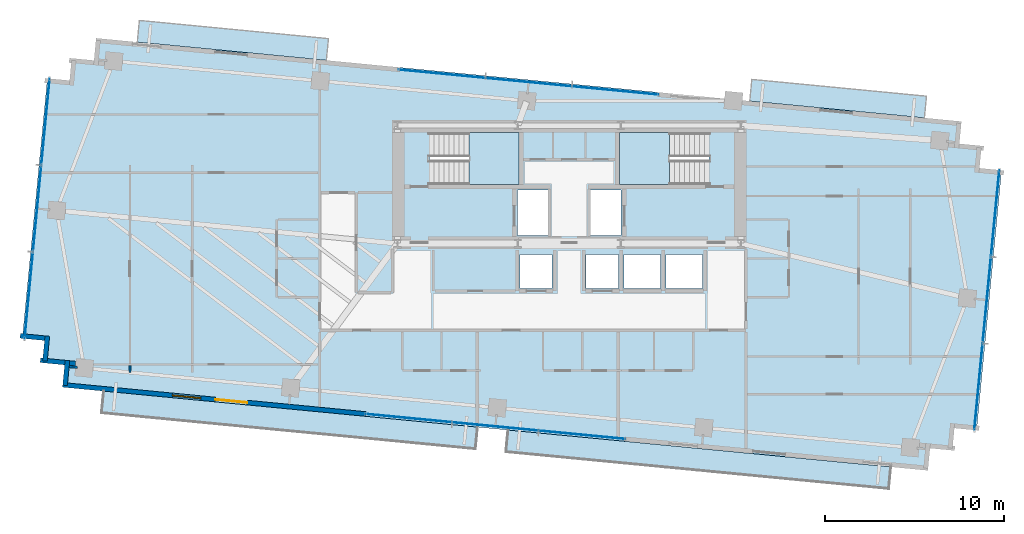
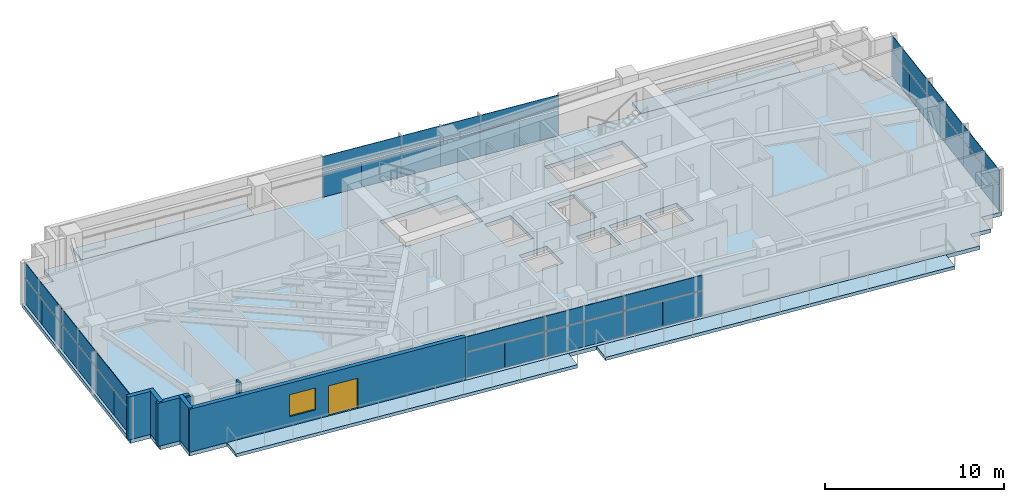
# One storey, part 13 of 19: 36 plates, 7 slabs, 7 walls, 1 door, 1 window, 2 openings, 6 elements without a shape of their own.
"""IFC4 building model written with IfcOpenShell, lengths in metres."""

from ifc_helpers import new_model, si_unit, direction, frame, frame_2d, origin, origin_2d, place, context, subcontext, project, spatial, polyline, rectangle, outline, extrude, source, transform, mapped, material, layer, layer_set, type_object, type_shapes, element, fill, aggregate, save


model = new_model("IFC4")

# Units and contexts
model_context = context("Model", 3, precision=1e-05, world=origin(), true_north=direction((0.0, 1.0)))
body_context = subcontext(model_context, "Body", "Model", "MODEL_VIEW")
ifc_project = project(units=[si_unit("LENGTHUNIT", "METRE"), si_unit("AREAUNIT", "SQUARE_METRE"), si_unit("VOLUMEUNIT", "CUBIC_METRE"), si_unit("PLANEANGLEUNIT", "RADIAN"), si_unit("MASSUNIT", "GRAM", prefix="KILO")], contexts=[model_context])

# Site, building, storey
site_placement = place(None, origin())
site = spatial("IfcSite", under=ifc_project, at=site_placement, CompositionType="ELEMENT")
building_placement = place(site_placement, origin())
building = spatial("IfcBuilding", under=site, at=building_placement, Name="Astriad Promenade Condominiums", CompositionType="ELEMENT")
storey_placement = place(building_placement, frame((0.0, 0.0, 150.199951171875)))
storey = spatial("IfcBuildingStorey", under=building, at=storey_placement, Name="L43", CompositionType="ELEMENT", Elevation=150.199951171875)

# Slab
ifc_material_1 = material(Name="Concrete C50/60", Category="concrete")
ifc_layer_1 = layer(ifc_material_1, 0.260009765625)
ifc_layer_set_1 = layer_set([ifc_layer_1], Name="Concrete C50/60")
slab_type_1 = type_object("IfcSlabType", Name="CONCRETE TOWER FLOOR SLAB 260", PredefinedType="FLOOR", material=ifc_layer_set_1)
slab_1_placement = place(storey_placement, frame((0.0, 0.0, -0.260009765625)))
element("IfcSlab", 1, at=slab_1_placement, inside=storey, type_object=slab_type_1, Name="Structural Floor Slab (L43)", PredefinedType="FLOOR", context=body_context, shape_type="SweptSolid", body=[
    extrude(outline(polyline([(7.672607421875, 9.374267578125), (56.048828125, 4.716064453125), (56.168701171875, 5.960205078125), (57.412841796875, 5.840576171875), (57.53271484375, 7.084716796875), (58.77685546875, 6.96484375), (60.17626953125, 21.497802734375), (58.931884765625, 21.617431640625), (59.052001953125, 22.86181640625), (57.8076171875, 22.981689453125), (57.927490234375, 24.225830078125), (9.55126953125, 28.8837890625), (9.431396484375, 27.6396484375), (8.18701171875, 27.759521484375), (8.0673828125, 26.515380859375), (6.822998046875, 26.635009765625), (5.423583984375, 12.102294921875), (6.66796875, 11.982421875), (6.548095703125, 10.73828125), (7.79248046875, 10.618408203125), (7.672607421875, 9.374267578125)]), holes=[polyline([(28.175048828125, 20.699951171875), (33.175048828125, 20.699951171875), (33.175048828125, 23.60009765625), (28.175048828125, 23.60009765625), (28.175048828125, 20.699951171875)]), polyline([(38.824951171875, 20.699951171875), (43.824951171875, 20.699951171875), (43.824951171875, 23.60009765625), (38.824951171875, 23.60009765625), (38.824951171875, 20.699951171875)]), polyline([(33.10009765625, 17.85009765625), (34.800048828125, 17.85009765625), (34.800048828125, 20.39990234375), (33.10009765625, 20.39990234375), (33.10009765625, 17.85009765625)]), polyline([(37.199951171875, 17.85009765625), (38.89990234375, 17.85009765625), (38.89990234375, 20.39990234375), (37.199951171875, 20.39990234375), (37.199951171875, 17.85009765625)]), polyline([(33.25, 14.89990234375), (35.050048828125, 14.89990234375), (35.050048828125, 16.800048828125), (33.25, 16.800048828125), (33.25, 14.89990234375)]), polyline([(36.949951171875, 14.89990234375), (38.75, 14.89990234375), (38.75, 16.800048828125), (36.949951171875, 16.800048828125), (36.949951171875, 14.89990234375)]), polyline([(39.050048828125, 14.89990234375), (41.10009765625, 14.89990234375), (41.10009765625, 16.800048828125), (39.050048828125, 16.800048828125), (39.050048828125, 14.89990234375)]), polyline([(41.39990234375, 14.89990234375), (43.449951171875, 14.89990234375), (43.449951171875, 16.800048828125), (41.39990234375, 16.800048828125), (41.39990234375, 14.89990234375)])]), origin(), (0.0, 0.0, 1.0), 0.260009765625),
])

# Stair, slab
stair_type = type_object("IfcStairType", Name="STR-CORE-1350", PredefinedType="HALF_TURN_STAIR", material=ifc_material_1)
stair_1_placement = place(storey_placement, origin())
stair_1 = element("IfcStair", 2, at=stair_1_placement, inside=storey, type_object=stair_type, Name="L43 Enclosed Core Exit Stair ST-1", PredefinedType="HALF_TURN_STAIR")
ifc_layer_2 = layer(ifc_material_1, 0.219970703125)
ifc_layer_set_2 = layer_set([ifc_layer_2], Name="Concrete C50/60")
slab_type_2 = type_object("IfcSlabType", Name="SLB-LANDING-220", PredefinedType="LANDING", material=ifc_layer_set_2)
slab_2_placement = place(storey_placement, frame((0.0, 0.0, 1.400146484375)))
slab_2 = element("IfcSlab", 3, at=slab_2_placement, type_object=slab_type_2, Name="ST-1 landing 1", PredefinedType="LANDING", context=body_context, shape_type="SweptSolid", body=[
    extrude(outline(polyline([(30.389892578125, 20.699951171875), (33.199951171875, 20.699951171875), (33.199951171875, 23.60009765625), (30.389892578125, 23.60009765625), (30.389892578125, 20.699951171875)])), origin(), (0.0, 0.0, 1.0), 0.199951171875),
])
aggregate(stair_1, [slab_2])

stair_2_placement = place(storey_placement, origin())
stair_2 = element("IfcStair", 4, at=stair_2_placement, inside=storey, type_object=stair_type, Name="L43 Enclosed Core Exit Stair ST-2", PredefinedType="HALF_TURN_STAIR")
slab_3_placement = place(storey_placement, frame((0.0, 0.0, 1.400146484375)))
slab_3 = element("IfcSlab", 5, at=slab_3_placement, type_object=slab_type_2, Name="ST-2 landing 1", PredefinedType="LANDING", context=body_context, shape_type="SweptSolid", body=[
    extrude(outline(polyline([(41.610107421875, 23.60009765625), (38.800048828125, 23.60009765625), (38.800048828125, 20.699951171875), (41.610107421875, 20.699951171875), (41.610107421875, 23.60009765625)])), origin(), (0.0, 0.0, 1.0), 0.199951171875),
])
aggregate(stair_2, [slab_3])

# Slabs
ifc_material_2 = material(Name="Precast concrete C50/60", Category="concrete")
ifc_layer_3 = layer(ifc_material_2, 0.219970703125)
ifc_layer_set_3 = layer_set([ifc_layer_3], Name="Precast concrete C50/60")
slab_type_3 = type_object("IfcSlabType", Name="WHITE PRECAST CONCRETE WAVE BALCONY SLAB 220", PredefinedType="FLOOR", material=ifc_layer_set_3)
slab_4_placement = place(storey_placement, frame((0.0, 0.0, -0.219970703125)))
element("IfcSlab", 6, at=slab_4_placement, inside=storey, type_object=slab_type_3, Name="White Precast Wave Balcony Slab BAL-L43-SW", PredefinedType="FLOOR", context=body_context, shape_type="SweptSolid", body=[
    extrude(outline(polyline([(9.85595703125, 7.938232421875), (30.75439453125, 5.926025390625), (30.871337890625, 7.140380859375), (9.972900390625, 9.152587890625), (9.85595703125, 7.938232421875)])), origin(), (0.0, 0.0, 1.0), 0.219970703125),
])
slab_5_placement = place(storey_placement, frame((0.0, 0.0, -0.219970703125)))
element("IfcSlab", 7, at=slab_5_placement, inside=storey, type_object=slab_type_3, Name="White Precast Wave Balcony Slab BAL-L43-SE", PredefinedType="FLOOR", context=body_context, shape_type="SweptSolid", body=[
    extrude(outline(polyline([(32.46240234375, 5.761474609375), (53.8583984375, 3.701416015625), (53.975341796875, 4.915771484375), (32.579345703125, 6.975830078125), (32.46240234375, 5.761474609375)])), origin(), (0.0, 0.0, 1.0), 0.219970703125),
])
slab_6_placement = place(storey_placement, frame((0.0, 0.0, -0.219970703125)))
element("IfcSlab", 8, at=slab_6_placement, inside=storey, type_object=slab_type_3, Name="White Precast Wave Balcony Slab BAL-L43-NW", PredefinedType="FLOOR", context=body_context, shape_type="SweptSolid", body=[
    extrude(outline(polyline([(11.968505859375, 29.876708984375), (22.53857421875, 28.85888671875), (22.421875, 27.646484375), (11.851806640625, 28.664306640625), (11.968505859375, 29.876708984375)])), origin(), (0.0, 0.0, 1.0), 0.219970703125),
])
slab_7_placement = place(storey_placement, frame((0.0, 0.0, -0.219970703125)))
element("IfcSlab", 9, at=slab_7_placement, inside=storey, type_object=slab_type_3, Name="White Precast Wave Balcony Slab BAL-L43-NE", PredefinedType="FLOOR", context=body_context, shape_type="SweptSolid", body=[
    extrude(outline(polyline([(46.208984375, 26.579833984375), (55.970947265625, 25.639892578125), (55.854248046875, 24.427490234375), (46.09228515625, 25.367431640625), (46.208984375, 26.579833984375)])), origin(), (0.0, 0.0, 1.0), 0.219970703125),
])

# Curtain wall, plates
ifc_material_3 = material(Name="Anodised aluminium Black Dark Glass Unitised", Category="aluminium")
curtain_wall_type = type_object("IfcCurtainWallType", Name="CW-B34-DARK", PredefinedType="USERDEFINED", material=ifc_material_3)
curtain_wall_1_placement = place(storey_placement, origin())
curtain_wall_1 = element("IfcCurtainWall", 10, at=curtain_wall_1_placement, inside=storey, type_object=curtain_wall_type, Name="CW-L43-W", ObjectType="UNITISED_CURTAIN_WALL", PredefinedType="USERDEFINED")
ifc_material_4 = material(Name="Dark Tinted Low-E Laminated Glass", Category="glass")
ifc_layer_4 = layer(ifc_material_4, 0.035888671875)
ifc_layer_set_4 = layer_set([ifc_layer_4], Name="Dark Tinted Low-E Laminated Glass")
plate_type = type_object("IfcPlateType", Name="PNL-DARK-GLASS-36", PredefinedType="CURTAIN_PANEL", material=ifc_layer_set_4)
shared_shape_1 = source(origin(), body_context, "Body", "SweptSolid", [
    extrude(rectangle(XDim=2.42138671875, YDim=0.035888671875, at=origin_2d()), origin(), (0.0, 0.0, 1.0), 1.702880859375),
])
plate_1_placement = place(storey_placement, frame((5.669677734375, 13.30078125, 0.080078125), z_axis=(0.0, 0.0, 1.0), x_axis=(0.09584575252, 0.995396198367, 0.0)))
plate_1 = element("IfcPlate", 11, at=plate_1_placement, type_object=plate_type, Name="CW-L43-W-PNL-00-VL", PredefinedType="CURTAIN_PANEL", context=body_context, shape_type="MappedRepresentation", body=[
    mapped(shared_shape_1, transform((0.0, 0.0, 0.0), scale=1.0)),
])
plate_2_placement = place(storey_placement, frame((5.903076171875, 15.722900390625, 0.080078125), z_axis=(0.0, 0.0, 1.0), x_axis=(0.09584575252, 0.995396198367, 0.0)))
plate_2 = element("IfcPlate", 12, at=plate_2_placement, type_object=plate_type, Name="CW-L43-W-PNL-00-VR", PredefinedType="CURTAIN_PANEL", context=body_context, shape_type="MappedRepresentation", body=[
    mapped(shared_shape_1, transform((0.0, 0.0, 0.0), scale=1.0)),
])
plate_3_placement = place(storey_placement, frame((6.13623046875, 18.145263671875, 0.080078125), z_axis=(0.0, 0.0, 1.0), x_axis=(0.09584575252, 0.995396198367, 0.0)))
plate_3 = element("IfcPlate", 13, at=plate_3_placement, type_object=plate_type, Name="CW-L43-W-PNL-01-VL", PredefinedType="CURTAIN_PANEL", context=body_context, shape_type="MappedRepresentation", body=[
    mapped(shared_shape_1, transform((0.0, 0.0, 0.0), scale=1.0)),
])
plate_4_placement = place(storey_placement, frame((6.369384765625, 20.5673828125, 0.080078125), z_axis=(0.0, 0.0, 1.0), x_axis=(0.09584575252, 0.995396198367, 0.0)))
plate_4 = element("IfcPlate", 14, at=plate_4_placement, type_object=plate_type, Name="CW-L43-W-PNL-01-VR", PredefinedType="CURTAIN_PANEL", context=body_context, shape_type="MappedRepresentation", body=[
    mapped(shared_shape_1, transform((0.0, 0.0, 0.0), scale=1.0)),
])
plate_5_placement = place(storey_placement, frame((6.6025390625, 22.989501953125, 0.080078125), z_axis=(0.0, 0.0, 1.0), x_axis=(0.09584575252, 0.995396198367, 0.0)))
plate_5 = element("IfcPlate", 15, at=plate_5_placement, type_object=plate_type, Name="CW-L43-W-PNL-02-VL", PredefinedType="CURTAIN_PANEL", context=body_context, shape_type="MappedRepresentation", body=[
    mapped(shared_shape_1, transform((0.0, 0.0, 0.0), scale=1.0)),
])
plate_6_placement = place(storey_placement, frame((6.8359375, 25.41162109375, 0.080078125), z_axis=(0.0, 0.0, 1.0), x_axis=(0.09584575252, 0.995396198367, 0.0)))
plate_6 = element("IfcPlate", 16, at=plate_6_placement, type_object=plate_type, Name="CW-L43-W-PNL-02-VR", PredefinedType="CURTAIN_PANEL", context=body_context, shape_type="MappedRepresentation", body=[
    mapped(shared_shape_1, transform((0.0, 0.0, 0.0), scale=1.0)),
])

curtain_wall_2_placement = place(storey_placement, origin())
curtain_wall_2 = element("IfcCurtainWall", 17, at=curtain_wall_2_placement, inside=storey, type_object=curtain_wall_type, Name="CW-L43-E", ObjectType="UNITISED_CURTAIN_WALL", PredefinedType="USERDEFINED")
plate_7_placement = place(storey_placement, frame((59.930419921875, 20.299072265625, 0.080078125), z_axis=(0.0, 0.0, 1.0), x_axis=(-0.09584575252, -0.995396198367, 0.0)))
plate_7 = element("IfcPlate", 18, at=plate_7_placement, type_object=plate_type, Name="CW-L43-E-PNL-00-VL", PredefinedType="CURTAIN_PANEL", context=body_context, shape_type="MappedRepresentation", body=[
    mapped(shared_shape_1, transform((0.0, 0.0, 0.0), scale=1.0)),
])
plate_8_placement = place(storey_placement, frame((59.697021484375, 17.876953125, 0.080078125), z_axis=(0.0, 0.0, 1.0), x_axis=(-0.09584575252, -0.995396198367, 0.0)))
plate_8 = element("IfcPlate", 19, at=plate_8_placement, type_object=plate_type, Name="CW-L43-E-PNL-00-VR", PredefinedType="CURTAIN_PANEL", context=body_context, shape_type="MappedRepresentation", body=[
    mapped(shared_shape_1, transform((0.0, 0.0, 0.0), scale=1.0)),
])
plate_9_placement = place(storey_placement, frame((59.4638671875, 15.454833984375, 0.080078125), z_axis=(0.0, 0.0, 1.0), x_axis=(-0.09584575252, -0.995396198367, 0.0)))
plate_9 = element("IfcPlate", 20, at=plate_9_placement, type_object=plate_type, Name="CW-L43-E-PNL-01-VL", PredefinedType="CURTAIN_PANEL", context=body_context, shape_type="MappedRepresentation", body=[
    mapped(shared_shape_1, transform((0.0, 0.0, 0.0), scale=1.0)),
])
plate_10_placement = place(storey_placement, frame((59.230712890625, 13.03271484375, 0.080078125), z_axis=(0.0, 0.0, 1.0), x_axis=(-0.09584575252, -0.995396198367, 0.0)))
plate_10 = element("IfcPlate", 21, at=plate_10_placement, type_object=plate_type, Name="CW-L43-E-PNL-01-VR", PredefinedType="CURTAIN_PANEL", context=body_context, shape_type="MappedRepresentation", body=[
    mapped(shared_shape_1, transform((0.0, 0.0, 0.0), scale=1.0)),
])
plate_11_placement = place(storey_placement, frame((58.997314453125, 10.610595703125, 0.080078125), z_axis=(0.0, 0.0, 1.0), x_axis=(-0.09584575252, -0.995396198367, 0.0)))
plate_11 = element("IfcPlate", 22, at=plate_11_placement, type_object=plate_type, Name="CW-L43-E-PNL-02-VL", PredefinedType="CURTAIN_PANEL", context=body_context, shape_type="MappedRepresentation", body=[
    mapped(shared_shape_1, transform((0.0, 0.0, 0.0), scale=1.0)),
])
plate_12_placement = place(storey_placement, frame((58.76416015625, 8.1884765625, 0.080078125), z_axis=(0.0, 0.0, 1.0), x_axis=(-0.09584575252, -0.995396198367, 0.0)))
plate_12 = element("IfcPlate", 23, at=plate_12_placement, type_object=plate_type, Name="CW-L43-E-PNL-02-VR", PredefinedType="CURTAIN_PANEL", context=body_context, shape_type="MappedRepresentation", body=[
    mapped(shared_shape_1, transform((0.0, 0.0, 0.0), scale=1.0)),
])

# Plate
shared_shape_2 = source(origin(), body_context, "Body", "SweptSolid", [
    extrude(rectangle(XDim=4.854736328125, YDim=0.035888671875, at=origin_2d()), origin(), (0.0, 0.0, 1.0), 0.997314453125),
])
plate_13_placement = place(storey_placement, frame((5.786376953125, 14.511962890625, 1.86279296875), z_axis=(0.0, 0.0, 1.0), x_axis=(0.09584575252, 0.995396198367, 0.0)))
plate_13 = element("IfcPlate", 24, at=plate_13_placement, type_object=plate_type, Name="CW-L43-W-PNL-00-S", PredefinedType="CURTAIN_PANEL", context=body_context, shape_type="MappedRepresentation", body=[
    mapped(shared_shape_2, transform((0.0, 0.0, 0.0), scale=1.0)),
])

plate_14_placement = place(storey_placement, frame((6.252685546875, 19.356201171875, 1.86279296875), z_axis=(0.0, 0.0, 1.0), x_axis=(0.09584575252, 0.995396198367, 0.0)))
plate_14 = element("IfcPlate", 25, at=plate_14_placement, type_object=plate_type, Name="CW-L43-W-PNL-01-S", PredefinedType="CURTAIN_PANEL", context=body_context, shape_type="MappedRepresentation", body=[
    mapped(shared_shape_2, transform((0.0, 0.0, 0.0), scale=1.0)),
])

plate_15_placement = place(storey_placement, frame((6.71923828125, 24.200439453125, 1.86279296875), z_axis=(0.0, 0.0, 1.0), x_axis=(0.09584575252, 0.995396198367, 0.0)))
plate_15 = element("IfcPlate", 26, at=plate_15_placement, type_object=plate_type, Name="CW-L43-W-PNL-02-S", PredefinedType="CURTAIN_PANEL", context=body_context, shape_type="MappedRepresentation", body=[
    mapped(shared_shape_2, transform((0.0, 0.0, 0.0), scale=1.0)),
])

aggregate(curtain_wall_1, [plate_1, plate_2, plate_13, plate_3, plate_4, plate_14, plate_5, plate_6, plate_15])

plate_16_placement = place(storey_placement, frame((59.813720703125, 19.088134765625, 1.86279296875), z_axis=(0.0, 0.0, 1.0), x_axis=(-0.09584575252, -0.995396198367, 0.0)))
plate_16 = element("IfcPlate", 27, at=plate_16_placement, type_object=plate_type, Name="CW-L43-E-PNL-00-S", PredefinedType="CURTAIN_PANEL", context=body_context, shape_type="MappedRepresentation", body=[
    mapped(shared_shape_2, transform((0.0, 0.0, 0.0), scale=1.0)),
])

plate_17_placement = place(storey_placement, frame((59.34716796875, 14.243896484375, 1.86279296875), z_axis=(0.0, 0.0, 1.0), x_axis=(-0.09584575252, -0.995396198367, 0.0)))
plate_17 = element("IfcPlate", 28, at=plate_17_placement, type_object=plate_type, Name="CW-L43-E-PNL-01-S", PredefinedType="CURTAIN_PANEL", context=body_context, shape_type="MappedRepresentation", body=[
    mapped(shared_shape_2, transform((0.0, 0.0, 0.0), scale=1.0)),
])

plate_18_placement = place(storey_placement, frame((58.880615234375, 9.3994140625, 1.86279296875), z_axis=(0.0, 0.0, 1.0), x_axis=(-0.09584575252, -0.995396198367, 0.0)))
plate_18 = element("IfcPlate", 29, at=plate_18_placement, type_object=plate_type, Name="CW-L43-E-PNL-02-S", PredefinedType="CURTAIN_PANEL", context=body_context, shape_type="MappedRepresentation", body=[
    mapped(shared_shape_2, transform((0.0, 0.0, 0.0), scale=1.0)),
])

aggregate(curtain_wall_2, [plate_7, plate_8, plate_16, plate_9, plate_10, plate_17, plate_11, plate_12, plate_18])

# Curtain wall, plates
curtain_wall_3_placement = place(storey_placement, origin())
curtain_wall_3 = element("IfcCurtainWall", 30, at=curtain_wall_3_placement, inside=storey, type_object=curtain_wall_type, Name="CW-L43-N", ObjectType="UNITISED_CURTAIN_WALL", PredefinedType="USERDEFINED")
shared_shape_3 = source(origin(), body_context, "Body", "SweptSolid", [
    extrude(rectangle(XDim=2.41796875, YDim=0.035888671875, at=origin_2d()), origin(), (0.0, 0.0, 1.0), 1.702880859375),
])
plate_19_placement = place(storey_placement, frame((27.6796875, 27.0078125, 0.080078125), z_axis=(0.0, 0.0, 1.0), x_axis=(0.995396198367, -0.09584575252, 0.0)))
plate_19 = element("IfcPlate", 31, at=plate_19_placement, type_object=plate_type, Name="CW-L43-N-PNL-00-VL", PredefinedType="CURTAIN_PANEL", context=body_context, shape_type="MappedRepresentation", body=[
    mapped(shared_shape_3, transform((0.0, 0.0, 0.0), scale=1.0)),
])
plate_20_placement = place(storey_placement, frame((30.0986328125, 26.77490234375, 0.080078125), z_axis=(0.0, 0.0, 1.0), x_axis=(0.995396198367, -0.09584575252, 0.0)))
plate_20 = element("IfcPlate", 32, at=plate_20_placement, type_object=plate_type, Name="CW-L43-N-PNL-00-VR", PredefinedType="CURTAIN_PANEL", context=body_context, shape_type="MappedRepresentation", body=[
    mapped(shared_shape_3, transform((0.0, 0.0, 0.0), scale=1.0)),
])
plate_21_placement = place(storey_placement, frame((32.517333984375, 26.5419921875, 0.080078125), z_axis=(0.0, 0.0, 1.0), x_axis=(0.995396198367, -0.09584575252, 0.0)))
plate_21 = element("IfcPlate", 33, at=plate_21_placement, type_object=plate_type, Name="CW-L43-N-PNL-01-VL", PredefinedType="CURTAIN_PANEL", context=body_context, shape_type="MappedRepresentation", body=[
    mapped(shared_shape_3, transform((0.0, 0.0, 0.0), scale=1.0)),
])
plate_22_placement = place(storey_placement, frame((34.936279296875, 26.30908203125, 0.080078125), z_axis=(0.0, 0.0, 1.0), x_axis=(0.995396198367, -0.09584575252, 0.0)))
plate_22 = element("IfcPlate", 34, at=plate_22_placement, type_object=plate_type, Name="CW-L43-N-PNL-01-VR", PredefinedType="CURTAIN_PANEL", context=body_context, shape_type="MappedRepresentation", body=[
    mapped(shared_shape_3, transform((0.0, 0.0, 0.0), scale=1.0)),
])
plate_23_placement = place(storey_placement, frame((37.35498046875, 26.075927734375, 0.080078125), z_axis=(0.0, 0.0, 1.0), x_axis=(0.995396198367, -0.09584575252, 0.0)))
plate_23 = element("IfcPlate", 35, at=plate_23_placement, type_object=plate_type, Name="CW-L43-N-PNL-02-VL", PredefinedType="CURTAIN_PANEL", context=body_context, shape_type="MappedRepresentation", body=[
    mapped(shared_shape_3, transform((0.0, 0.0, 0.0), scale=1.0)),
])
plate_24_placement = place(storey_placement, frame((39.77392578125, 25.84326171875, 0.080078125), z_axis=(0.0, 0.0, 1.0), x_axis=(0.995396198367, -0.09584575252, 0.0)))
plate_24 = element("IfcPlate", 36, at=plate_24_placement, type_object=plate_type, Name="CW-L43-N-PNL-02-VR", PredefinedType="CURTAIN_PANEL", context=body_context, shape_type="MappedRepresentation", body=[
    mapped(shared_shape_3, transform((0.0, 0.0, 0.0), scale=1.0)),
])

curtain_wall_4_placement = place(storey_placement, origin())
curtain_wall_4 = element("IfcCurtainWall", 37, at=curtain_wall_4_placement, inside=storey, type_object=curtain_wall_type, Name="CW-L43-S", ObjectType="UNITISED_CURTAIN_WALL", PredefinedType="USERDEFINED")
plate_25_placement = place(storey_placement, frame((37.920166015625, 6.59228515625, 0.080078125), z_axis=(0.0, 0.0, 1.0), x_axis=(-0.995396198367, 0.09584575252, 0.0)))
plate_25 = element("IfcPlate", 38, at=plate_25_placement, type_object=plate_type, Name="CW-L43-S-PNL-00-VL", PredefinedType="CURTAIN_PANEL", context=body_context, shape_type="MappedRepresentation", body=[
    mapped(shared_shape_3, transform((0.0, 0.0, 0.0), scale=1.0)),
])
plate_26_placement = place(storey_placement, frame((35.50146484375, 6.8251953125, 0.080078125), z_axis=(0.0, 0.0, 1.0), x_axis=(-0.995396198367, 0.09584575252, 0.0)))
plate_26 = element("IfcPlate", 39, at=plate_26_placement, type_object=plate_type, Name="CW-L43-S-PNL-00-VR", PredefinedType="CURTAIN_PANEL", context=body_context, shape_type="MappedRepresentation", body=[
    mapped(shared_shape_3, transform((0.0, 0.0, 0.0), scale=1.0)),
])
plate_27_placement = place(storey_placement, frame((33.08251953125, 7.05810546875, 0.080078125), z_axis=(0.0, 0.0, 1.0), x_axis=(-0.995396198367, 0.09584575252, 0.0)))
plate_27 = element("IfcPlate", 40, at=plate_27_placement, type_object=plate_type, Name="CW-L43-S-PNL-01-VL", PredefinedType="CURTAIN_PANEL", context=body_context, shape_type="MappedRepresentation", body=[
    mapped(shared_shape_3, transform((0.0, 0.0, 0.0), scale=1.0)),
])
plate_28_placement = place(storey_placement, frame((30.663818359375, 7.291015625, 0.080078125), z_axis=(0.0, 0.0, 1.0), x_axis=(-0.995396198367, 0.09584575252, 0.0)))
plate_28 = element("IfcPlate", 41, at=plate_28_placement, type_object=plate_type, Name="CW-L43-S-PNL-01-VR", PredefinedType="CURTAIN_PANEL", context=body_context, shape_type="MappedRepresentation", body=[
    mapped(shared_shape_3, transform((0.0, 0.0, 0.0), scale=1.0)),
])
plate_29_placement = place(storey_placement, frame((28.244873046875, 7.52392578125, 0.080078125), z_axis=(0.0, 0.0, 1.0), x_axis=(-0.995396198367, 0.09584575252, 0.0)))
plate_29 = element("IfcPlate", 42, at=plate_29_placement, type_object=plate_type, Name="CW-L43-S-PNL-02-VL", PredefinedType="CURTAIN_PANEL", context=body_context, shape_type="MappedRepresentation", body=[
    mapped(shared_shape_3, transform((0.0, 0.0, 0.0), scale=1.0)),
])
plate_30_placement = place(storey_placement, frame((25.826171875, 7.7568359375, 0.080078125), z_axis=(0.0, 0.0, 1.0), x_axis=(-0.995396198367, 0.09584575252, 0.0)))
plate_30 = element("IfcPlate", 43, at=plate_30_placement, type_object=plate_type, Name="CW-L43-S-PNL-02-VR", PredefinedType="CURTAIN_PANEL", context=body_context, shape_type="MappedRepresentation", body=[
    mapped(shared_shape_3, transform((0.0, 0.0, 0.0), scale=1.0)),
])

# Plate
shared_shape_4 = source(origin(), body_context, "Body", "SweptSolid", [
    extrude(rectangle(XDim=4.847900390625, YDim=0.035888671875, at=origin_2d()), origin(), (0.0, 0.0, 1.0), 0.997314453125),
])
type_shapes(plate_type, [shared_shape_1, shared_shape_2, shared_shape_3, shared_shape_4])
plate_31_placement = place(storey_placement, frame((28.88916015625, 26.891357421875, 1.86279296875), z_axis=(0.0, 0.0, 1.0), x_axis=(0.995396198367, -0.09584575252, 0.0)))
plate_31 = element("IfcPlate", 44, at=plate_31_placement, type_object=plate_type, Name="CW-L43-N-PNL-00-S", PredefinedType="CURTAIN_PANEL", context=body_context, shape_type="MappedRepresentation", body=[
    mapped(shared_shape_4, transform((0.0, 0.0, 0.0), scale=1.0)),
])

plate_32_placement = place(storey_placement, frame((33.726806640625, 26.42529296875, 1.86279296875), z_axis=(0.0, 0.0, 1.0), x_axis=(0.995396198367, -0.09584575252, 0.0)))
plate_32 = element("IfcPlate", 45, at=plate_32_placement, type_object=plate_type, Name="CW-L43-N-PNL-01-S", PredefinedType="CURTAIN_PANEL", context=body_context, shape_type="MappedRepresentation", body=[
    mapped(shared_shape_4, transform((0.0, 0.0, 0.0), scale=1.0)),
])

plate_33_placement = place(storey_placement, frame((38.564453125, 25.959716796875, 1.86279296875), z_axis=(0.0, 0.0, 1.0), x_axis=(0.995396198367, -0.09584575252, 0.0)))
plate_33 = element("IfcPlate", 46, at=plate_33_placement, type_object=plate_type, Name="CW-L43-N-PNL-02-S", PredefinedType="CURTAIN_PANEL", context=body_context, shape_type="MappedRepresentation", body=[
    mapped(shared_shape_4, transform((0.0, 0.0, 0.0), scale=1.0)),
])

aggregate(curtain_wall_3, [plate_19, plate_20, plate_31, plate_21, plate_22, plate_32, plate_23, plate_24, plate_33])

plate_34_placement = place(storey_placement, frame((36.710693359375, 6.708740234375, 1.86279296875), z_axis=(0.0, 0.0, 1.0), x_axis=(-0.995396198367, 0.09584575252, 0.0)))
plate_34 = element("IfcPlate", 47, at=plate_34_placement, type_object=plate_type, Name="CW-L43-S-PNL-00-S", PredefinedType="CURTAIN_PANEL", context=body_context, shape_type="MappedRepresentation", body=[
    mapped(shared_shape_4, transform((0.0, 0.0, 0.0), scale=1.0)),
])

plate_35_placement = place(storey_placement, frame((31.873291015625, 7.174560546875, 1.86279296875), z_axis=(0.0, 0.0, 1.0), x_axis=(-0.995396198367, 0.09584575252, 0.0)))
plate_35 = element("IfcPlate", 48, at=plate_35_placement, type_object=plate_type, Name="CW-L43-S-PNL-01-S", PredefinedType="CURTAIN_PANEL", context=body_context, shape_type="MappedRepresentation", body=[
    mapped(shared_shape_4, transform((0.0, 0.0, 0.0), scale=1.0)),
])

plate_36_placement = place(storey_placement, frame((27.035400390625, 7.640380859375, 1.86279296875), z_axis=(0.0, 0.0, 1.0), x_axis=(-0.995396198367, 0.09584575252, 0.0)))
plate_36 = element("IfcPlate", 49, at=plate_36_placement, type_object=plate_type, Name="CW-L43-S-PNL-02-S", PredefinedType="CURTAIN_PANEL", context=body_context, shape_type="MappedRepresentation", body=[
    mapped(shared_shape_4, transform((0.0, 0.0, 0.0), scale=1.0)),
])

aggregate(curtain_wall_4, [plate_25, plate_26, plate_34, plate_27, plate_28, plate_35, plate_29, plate_30, plate_36])

# Walls
ifc_layer_5 = layer(ifc_material_2, 0.260009765625)
ifc_layer_set_5 = layer_set([ifc_layer_5], Name="Precast concrete C50/60")
wall_type_1 = type_object("IfcWallType", Name="WALL-EXT-TWR-260", PredefinedType="STANDARD", material=ifc_layer_set_5)
wall_1_placement = place(storey_placement, frame((8.400146484375, 10.6904296875, 0.0), z_axis=(0.0, 0.0, 1.0), x_axis=(-0.995391147587, 0.095898192396, 0.0)))
element("IfcWall", 50, at=wall_1_placement, inside=storey, type_object=wall_type_1, Name="W-SER-L43-00", PredefinedType="STANDARD", context=body_context, shape_type="SweptSolid", body=[
    extrude(rectangle(XDim=1.97802734375, YDim=0.260009765625, at=frame_2d((0.989013671875, 0.0))), origin(), (0.0, 0.0, 1.0), 2.93994140625),
])
wall_2_placement = place(storey_placement, frame((6.6884765625, 10.840087890625, 0.0), z_axis=(0.0, 0.0, 1.0), x_axis=(0.09589913835, 0.995391056452, 0.0)))
element("IfcWall", 51, at=wall_2_placement, inside=storey, type_object=wall_type_1, Name="W-SER-L43-01", PredefinedType="STANDARD", context=body_context, shape_type="SweptSolid", body=[
    extrude(rectangle(XDim=1.39501953125, YDim=0.260009765625, at=frame_2d((0.697509765625, 0.0))), origin(), (0.0, 0.0, 1.0), 2.93994140625),
])
wall_3_placement = place(storey_placement, frame((6.6953125, 12.110595703125, 0.0), z_axis=(0.0, 0.0, 1.0), x_axis=(-0.99540614245, 0.095742423056, 0.0)))
element("IfcWall", 52, at=wall_3_placement, inside=storey, type_object=wall_type_1, Name="W-SER-L43-02", PredefinedType="STANDARD", context=body_context, shape_type="SweptSolid", body=[
    extrude(rectangle(XDim=1.394775390625, YDim=0.260009765625, at=frame_2d((0.697265625, 0.0))), origin(), (0.0, 0.0, 1.0), 2.93994140625),
])

# Wall, openings, door, window
wall_4_placement = place(storey_placement, frame((24.61669921875, 7.873291015625, 0.0), z_axis=(0.0, 0.0, 1.0), x_axis=(-0.995395976631, 0.095848055311, 0.0)))
wall_4 = element("IfcWall", 53, at=wall_4_placement, inside=storey, type_object=wall_type_1, Name="W-EXT-L43-S2", PredefinedType="STANDARD", context=body_context, shape_type="SweptSolid", body=[
    extrude(rectangle(XDim=17.010009765625, YDim=0.260009765625, at=frame_2d((8.5048828125, 0.0))), origin(), (0.0, 0.0, 1.0), 2.93994140625),
])
opening_1_placement = place(wall_4_placement, frame((6.64990234375, 0.0, 0.0)))
opening_1 = element("IfcOpeningElement", 54, at=opening_1_placement, cuts=wall_4, Name="Opening BD-1822-SLD", PredefinedType="OPENING", context=body_context, shape_type="SweptSolid", body=[
    extrude(rectangle(XDim=1.800048828125, YDim=2.06005859375, at=frame_2d((0.89990234375, 1.030029296875))), frame((0.0, 0.139892578125, 0.0), z_axis=(0.0, -1.0, 0.0), x_axis=(1.0, 0.0, 0.0)), (0.0, 0.0, 1.0), 0.280029296875),
])
opening_2_placement = place(wall_4_placement, frame((9.25, 0.0, 0.64990234375)))
opening_2 = element("IfcOpeningElement", 55, at=opening_2_placement, cuts=wall_4, Name="Opening WIN-TWR-1620", PredefinedType="OPENING", context=body_context, shape_type="SweptSolid", body=[
    extrude(rectangle(XDim=1.60009765625, YDim=1.5, at=frame_2d((0.800048828125, 0.75))), frame((0.0, 0.139892578125, 0.0), z_axis=(0.0, -1.0, 0.0), x_axis=(1.0, 0.0, 0.0)), (0.0, 0.0, 1.0), 0.280029296875),
])
ifc_material_5 = material(Name="Thermally Broken Aluminium Sliding Balcony Door", Category="aluminium")
door_type = type_object("IfcDoorType", Name="BD-1822-SLD", OperationType="NOTDEFINED", PredefinedType="DOOR", material=ifc_material_5)
shared_shape_5 = source(origin(), body_context, "Body", "SweptSolid", [
    extrude(rectangle(XDim=1.800048828125, YDim=2.06005859375, at=frame_2d((0.89990234375, 1.030029296875))), frame((0.0, 0.02490234375, 0.0), z_axis=(0.0, -1.0, 0.0), x_axis=(1.0, 0.0, 0.0)), (0.0, 0.0, 1.0), 0.050048828125),
])
type_shapes(door_type, [shared_shape_5])
door_placement = place(opening_1_placement, origin())
door = element("IfcDoor", 56, at=door_placement, inside=storey, type_object=door_type, Name="BD-L43-SW", OperationType="SLIDING_TO_LEFT", OverallHeight=2.06005859375, OverallWidth=1.800048828125, PredefinedType="DOOR", context=body_context, shape_type="MappedRepresentation", body=[
    mapped(shared_shape_5, transform((0.0, 0.0, 0.0), scale=1.0)),
])
fill(opening_1, door)
ifc_material_6 = material(Name="Dark Tinted Triple-Glazed Aluminium Window", Category="aluminium")
window_type = type_object("IfcWindowType", Name="WIN-TWR-1620", PartitioningType="SINGLE_PANEL", PredefinedType="WINDOW", material=ifc_material_6)
shared_shape_6 = source(origin(), body_context, "Body", "SweptSolid", [
    extrude(rectangle(XDim=1.60009765625, YDim=1.5, at=frame_2d((0.800048828125, 0.75))), frame((0.0, 0.030029296875, 0.0), z_axis=(0.0, -1.0, 0.0), x_axis=(1.0, 0.0, 0.0)), (0.0, 0.0, 1.0), 0.06005859375),
])
type_shapes(window_type, [shared_shape_6])
window_placement = place(opening_2_placement, origin())
window = element("IfcWindow", 57, at=window_placement, inside=storey, type_object=window_type, Name="WIN-L43-SW", OverallHeight=1.5, OverallWidth=1.60009765625, PartitioningType="SINGLE_PANEL", PredefinedType="WINDOW", context=body_context, shape_type="MappedRepresentation", body=[
    mapped(shared_shape_6, transform((0.0, 0.0, 0.0), scale=1.0)),
])
fill(opening_2, window)

# Walls
wall_5_placement = place(storey_placement, frame((7.81298828125, 9.476318359375, 0.0), z_axis=(0.0, 0.0, 1.0), x_axis=(0.095915846097, 0.995389446633, 0.0)))
element("IfcWall", 58, at=wall_5_placement, inside=storey, type_object=wall_type_1, Name="W-SER-L43-19", PredefinedType="STANDARD", context=body_context, shape_type="SweptSolid", body=[
    extrude(rectangle(XDim=1.394775390625, YDim=0.260009765625, at=frame_2d((0.697265625, 0.0))), origin(), (0.0, 0.0, 1.0), 2.93994140625),
])
ifc_material_7 = material(Name="Acoustic Metal-Stud Gypsum Partition")
ifc_layer_6 = layer(ifc_material_7, 0.1201171875)
ifc_layer_set_6 = layer_set([ifc_layer_6], Name="Acoustic Metal-Stud Gypsum Partition")
wall_type_2 = type_object("IfcWallType", Name="WALL-PART-120", PredefinedType="PARTITIONING", material=ifc_layer_set_6)
wall_6_placement = place(storey_placement, frame((11.43701171875, 10.198974609375, 0.0), z_axis=(0.0, 0.0, 1.0), x_axis=(0.0, 1.0, 0.0)))
element("IfcWall", 59, at=wall_6_placement, inside=storey, type_object=wall_type_2, Name="PT-L43-W1-WDV4", PredefinedType="PARTITIONING", context=body_context, shape_type="SweptSolid", body=[
    extrude(rectangle(XDim=0.3779296875, YDim=0.1201171875, at=frame_2d((0.18896484375, 0.0))), origin(), (0.0, 0.0, 1.0), 2.93994140625),
])
wall_7_placement = place(storey_placement, frame((8.502197265625, 10.479736328125, 0.0), z_axis=(0.0, 0.0, 1.0), x_axis=(-0.995384576284, 0.09596637586, 0.0)))
element("IfcWall", 60, at=wall_7_placement, inside=storey, type_object=wall_type_2, Name="PT-PIL-L43-PC01-8", PredefinedType="PARTITIONING", context=body_context, shape_type="SweptSolid", body=[
    extrude(rectangle(XDim=0.4580078125, YDim=0.1201171875, at=frame_2d((0.22900390625, 0.0))), origin(), (0.0, 0.0, 1.0), 2.93994140625),
])

save(model, "model.ifc")
